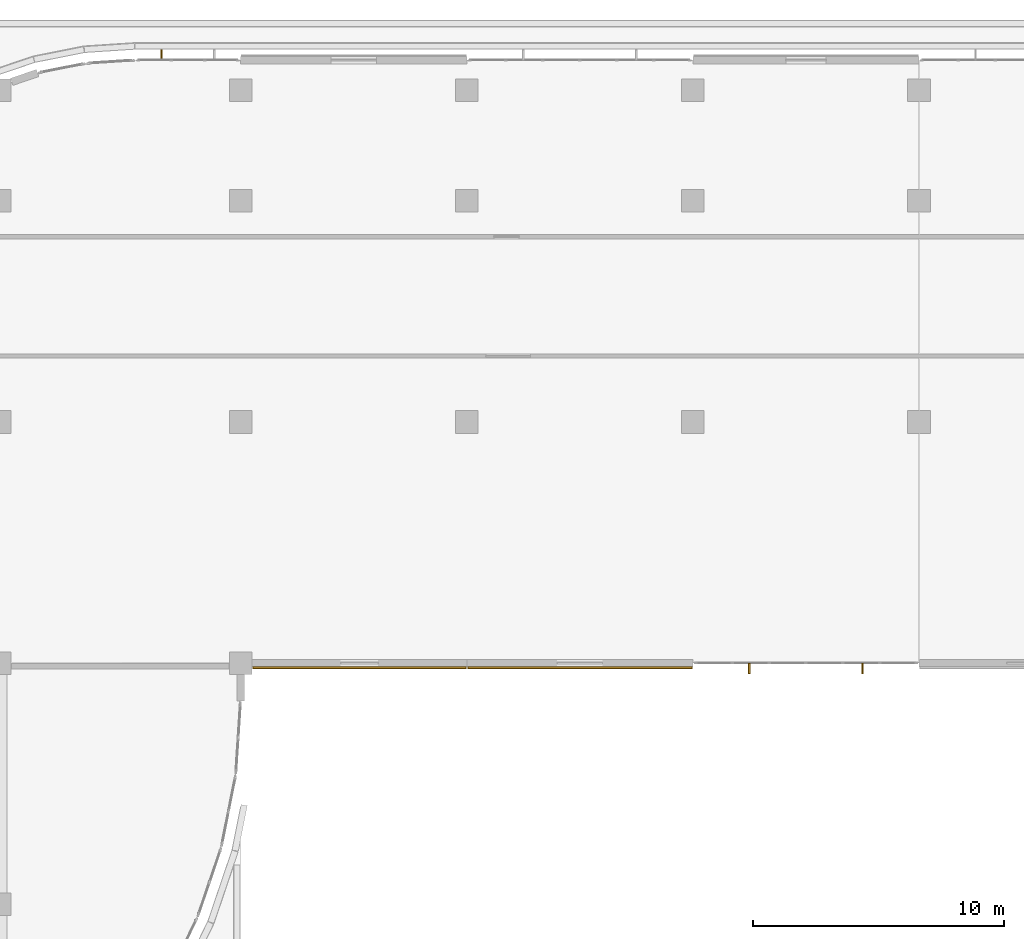
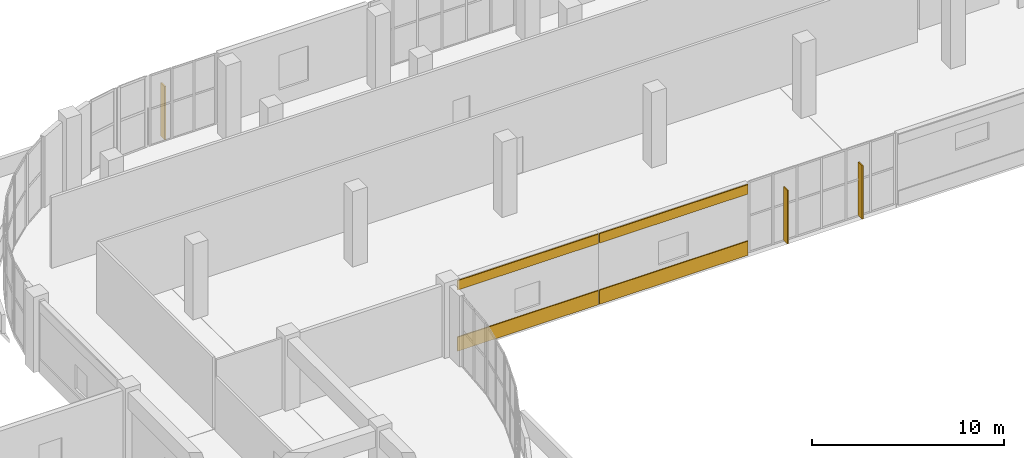
# One storey, part 88 of 96: 4 coverings, 3 shading devices.
"""IFC4 building model written with IfcOpenShell, lengths in metres."""

from ifc_helpers import new_model, si_unit, direction, frame, origin, origin_2d, place, context, subcontext, project, spatial, rectangle, extrude, material, layer, layer_set, type_object, element, save


model = new_model("IFC4")

# Units and contexts
model_context = context("Model", 3, precision=1e-05, world=origin(), true_north=direction((0.0, 1.0)))
body_context = subcontext(model_context, "Body", "Model", "MODEL_VIEW")
ifc_project = project(units=[si_unit("LENGTHUNIT", "METRE"), si_unit("AREAUNIT", "SQUARE_METRE"), si_unit("VOLUMEUNIT", "CUBIC_METRE"), si_unit("PLANEANGLEUNIT", "RADIAN"), si_unit("MASSUNIT", "GRAM", prefix="KILO")], contexts=[model_context])

# Site, building, storey
site_placement = place(None, origin())
site = spatial("IfcSite", under=ifc_project, at=site_placement, CompositionType="ELEMENT")
building_placement = place(site_placement, origin())
building = spatial("IfcBuilding", under=site, at=building_placement, Name="Cendralis Terraced Arcade", CompositionType="ELEMENT")
storey_placement = place(building_placement, frame((0.0, 0.0, 10.199951171875)))
storey = spatial("IfcBuildingStorey", under=building, at=storey_placement, Name="L02", CompositionType="ELEMENT", Elevation=10.199951171875)

# Coverings
ifc_material_1 = material(Name="Precast concrete f'c 40 MPa", Category="concrete")
ifc_layer = layer(ifc_material_1, 0.06494140625, Name="COV-CLAD-GRC-65")
ifc_layer_set = layer_set([ifc_layer], Name="Precast concrete f'c 40 MPa")
covering_type = type_object("IfcCoveringType", Name="COV-CLAD-GRC-65", PredefinedType="CLADDING", material=ifc_layer_set)
covering_1_placement = place(storey_placement, frame((80.699951171875, 88.6201171875, 0.0), z_axis=(0.0, 0.0, 1.0), x_axis=(-1.0, 0.0, 0.0)))
element("IfcCovering", 1, at=covering_1_placement, inside=storey, type_object=covering_type, Name="Banded Precast Stone Spandrel Cladding L02-249", PredefinedType="CLADDING", context=body_context, shape_type="SweptSolid", body=[
    extrude(rectangle(XDim=8.93994140625, YDim=0.06494140625, at=origin_2d()), origin(), (0.0, 0.0, 1.0), 0.89990234375),
])
covering_2_placement = place(storey_placement, frame((80.699951171875, 88.6201171875, 3.89501953125), z_axis=(0.0, 0.0, 1.0), x_axis=(-1.0, 0.0, 0.0)))
element("IfcCovering", 2, at=covering_2_placement, inside=storey, type_object=covering_type, Name="Banded Precast Stone Lintel Cladding L02-250", PredefinedType="CLADDING", context=body_context, shape_type="SweptSolid", body=[
    extrude(rectangle(XDim=8.93994140625, YDim=0.06494140625, at=origin_2d()), origin(), (0.0, 0.0, 1.0), 0.60009765625),
])
covering_3_placement = place(storey_placement, frame((71.924072265625, 88.6201171875, 0.0), z_axis=(0.0, 0.0, 1.0), x_axis=(-1.0, 0.0, 0.0)))
element("IfcCovering", 3, at=covering_3_placement, inside=storey, type_object=covering_type, Name="Banded Precast Stone Spandrel Cladding L02-251", PredefinedType="CLADDING", context=body_context, shape_type="SweptSolid", body=[
    extrude(rectangle(XDim=8.491943359375, YDim=0.06494140625, at=origin_2d()), origin(), (0.0, 0.0, 1.0), 0.89990234375),
])
covering_4_placement = place(storey_placement, frame((71.924072265625, 88.6201171875, 3.89501953125), z_axis=(0.0, 0.0, 1.0), x_axis=(-1.0, 0.0, 0.0)))
element("IfcCovering", 4, at=covering_4_placement, inside=storey, type_object=covering_type, Name="Banded Precast Stone Lintel Cladding L02-252", PredefinedType="CLADDING", context=body_context, shape_type="SweptSolid", body=[
    extrude(rectangle(XDim=8.491943359375, YDim=0.06494140625, at=origin_2d()), origin(), (0.0, 0.0, 1.0), 0.60009765625),
])

# Shading devices
ifc_material_2 = material(Name="Anodised aluminium EN AW-6063 T6", Category="aluminium")
shading_device_type = type_object("IfcShadingDeviceType", Name="SHD-FIN-420", PredefinedType="USERDEFINED", material=ifc_material_2)
for number, where, z_axis, x_axis, name in (
    (5, (91.949951171875, 88.5849609375, 0.050048828125), (0.0, 0.0, 1.0), (-1.0, 0.0, 0.0), "Parametric Vertical Solar Fin FIN-L02-043"),
    (6, (87.449951171875, 88.5849609375, 0.050048828125), (0.0, 0.0, 1.0), (-1.0, 0.0, 0.0), "Parametric Vertical Solar Fin FIN-L02-044"),
    (7, (64.050048828125, 113.014892578125, 0.050048828125), (0.0, 0.0, 1.0), (1.0, 0.0, 0.0), "Parametric Vertical Solar Fin FIN-L02-053"),
):
    element("IfcShadingDevice", number, at=place(storey_placement, frame(where, z_axis=z_axis, x_axis=x_axis)), inside=storey, type_object=shading_device_type, Name=name, ObjectType="FIN", PredefinedType="USERDEFINED", context=body_context, shape_type="SweptSolid", body=[
        extrude(rectangle(XDim=0.074951171875, YDim=0.419921875, at=origin_2d()), origin(), (0.0, 0.0, 1.0), 3.39990234375),
    ])

save(model, "model.ifc")
